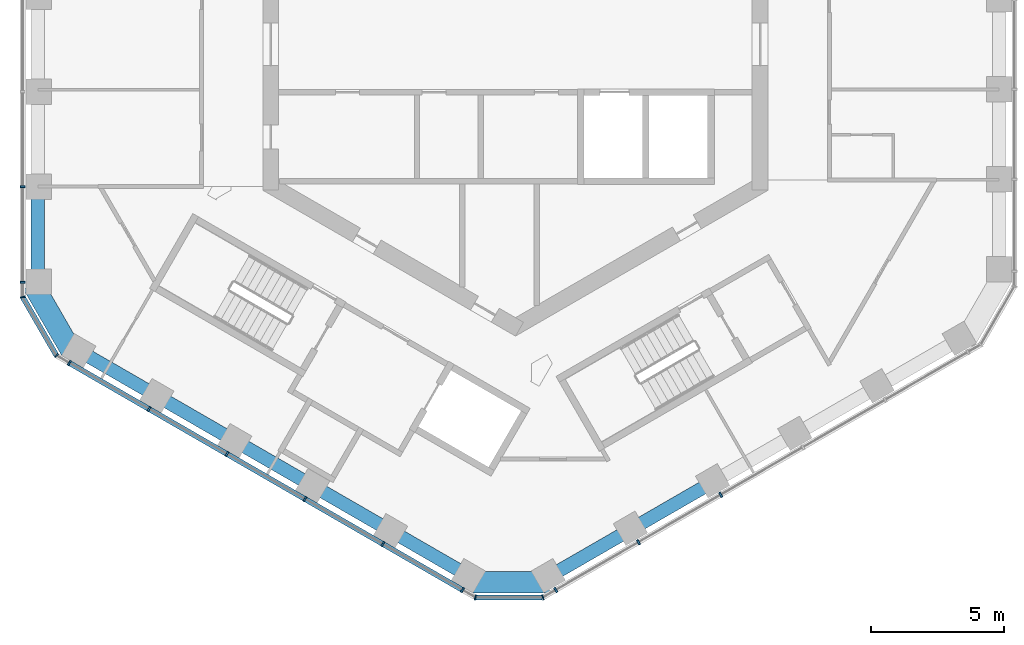
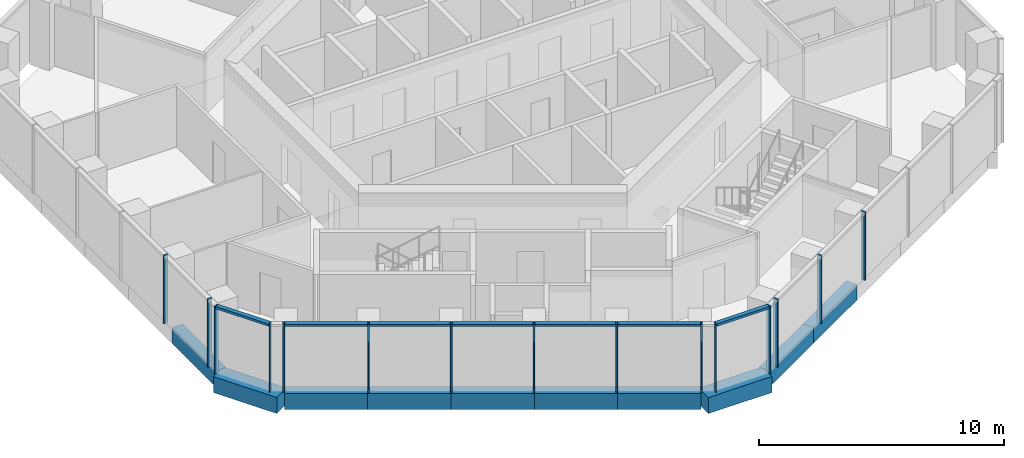
# One storey, part 2 of 18: 18 members, 10 beams, 5 elements without a shape of their own.
"""IFC4 building model written with IfcOpenShell, lengths in metres."""

import ifcopenshell
import ifcopenshell.guid

model = None  # the IFC model being written
_history = None  # IfcOwnerHistory: only IFC2X3 demands one
_inside = {}  # id of a spatial element -> (the spatial element, [elements in it])
_under = {}  # id of a project, library or spatial element -> (it, [spatial elements below it])
_declared = {}  # id of a project -> (the project, [libraries it declares])
_typed = {}  # id of a type object -> (the type object, [elements of that type])
_made_of = {}  # id of a material, layer set ... -> (it, [elements and type objects made of it])


def new_model(schema):
    """Start an empty IFC model of exactly this schema.

    Asked for "IFC4X3", IfcOpenShell would pick the latest addendum, in which some entities
    have other attributes; the version numbers below select the first issue.
    IFC2X3 requires an IfcOwnerHistory on every rooted entity: one is made here for all.
    """
    global model, _history
    if schema == "IFC4X3":
        model = ifcopenshell.file(schema_version=(4, 3, 0, 0))
    else:
        model = ifcopenshell.file(schema=schema)
    _inside.clear()
    _under.clear()
    _declared.clear()
    _typed.clear()
    _made_of.clear()
    _history = None
    if model.schema == "IFC2X3":
        org = make("IfcOrganization", Name="unknown")
        user = make(
            "IfcPersonAndOrganization",
            ThePerson=make("IfcPerson", FamilyName="unknown"),
            TheOrganization=org,
        )
        app = make(
            "IfcApplication",
            ApplicationDeveloper=org,
            Version="unknown",
            ApplicationFullName="unknown",
            ApplicationIdentifier="unknown",
        )
        _history = make(
            "IfcOwnerHistory",
            OwningUser=user,
            OwningApplication=app,
            ChangeAction="ADDED",
            CreationDate=0,
        )
    return model


def make(cls, **values):
    """One entity of the class cls with the attributes given. An attribute that is None is left unset."""
    return model.create_entity(
        cls, **{name: value for name, value in values.items() if value is not None}
    )


def rooted(cls, **values):
    """An entity with a GlobalId (a new one), such as an element, a storey or a relation."""
    return make(cls, GlobalId=ifcopenshell.guid.new(), OwnerHistory=_history, **values)


def si_unit(unit_type, name, prefix=None):
    """IfcSIUnit, for example si_unit("LENGTHUNIT", "METRE", prefix="MILLI")."""
    return make("IfcSIUnit", UnitType=unit_type, Prefix=prefix, Name=name)


def assignment(units):
    """IfcUnitAssignment: the units of a project."""
    return None if units is None else make("IfcUnitAssignment", Units=units)


def point(xyz):
    """IfcCartesianPoint."""
    return None if xyz is None else make("IfcCartesianPoint", Coordinates=xyz)


def direction(xyz):
    """IfcDirection."""
    return None if xyz is None else make("IfcDirection", DirectionRatios=xyz)


def frame(location, z_axis=None, x_axis=None):
    """IfcAxis2Placement3D, a coordinate frame: its origin and axes. An axis left out is left unset."""
    return make(
        "IfcAxis2Placement3D",
        Location=point(location),
        Axis=direction(z_axis),
        RefDirection=direction(x_axis),
    )


def frame_2d(location, x_axis=None):
    """IfcAxis2Placement2D, a coordinate frame in the plane: its origin and x axis."""
    return make(
        "IfcAxis2Placement2D", Location=point(location), RefDirection=direction(x_axis)
    )


def origin():
    """The frame at (0, 0, 0) with its axes left unset."""
    return frame((0.0, 0.0, 0.0))


def origin_2d():
    """The frame at (0, 0) in the plane with its x axis left unset."""
    return frame_2d((0.0, 0.0))


def place(relative_to, where):
    """IfcLocalPlacement: puts the frame where relative to a parent placement (None: the world)."""
    return make(
        "IfcLocalPlacement", PlacementRelTo=relative_to, RelativePlacement=where
    )


def context(
    kind, dimensions, precision=None, world=None, true_north=None, identifier=None
):
    """IfcGeometricRepresentationContext, for example the 3D "Model" context."""
    return make(
        "IfcGeometricRepresentationContext",
        ContextIdentifier=identifier,
        ContextType=kind,
        CoordinateSpaceDimension=dimensions,
        Precision=precision,
        WorldCoordinateSystem=world,
        TrueNorth=true_north,
    )


def subcontext(parent, identifier, kind, view, scale=None):
    """IfcGeometricRepresentationSubContext, for example "Body" below "Model"."""
    return make(
        "IfcGeometricRepresentationSubContext",
        ContextIdentifier=identifier,
        ContextType=kind,
        ParentContext=parent,
        TargetScale=scale,
        TargetView=view,
    )


def project(units=None, contexts=None):
    """IfcProject with its units and contexts."""
    return rooted(
        "IfcProject",
        Name="project",
        RepresentationContexts=contexts,
        UnitsInContext=assignment(units),
    )


def spatial(cls, under=None, at=None, **own):
    """A site, building, storey or space (cls), placed at a placement, below another one or the project."""
    s = rooted(cls, ObjectPlacement=at, **own)
    if under is not None:
        _under.setdefault(under.id(), (under, []))[1].append(s)
    return s


def profile(cls, at=None, kind="AREA", **sizes):
    """A parametric profile (cls). Its sizes go by their IFC names, for example OverallWidth=200.0."""
    return make(cls, ProfileType=kind, Position=at, **sizes)


def rectangle(**sizes):
    """IfcRectangleProfileDef."""
    return profile("IfcRectangleProfileDef", **sizes)


def extrude(swept, where, along, depth):
    """IfcExtrudedAreaSolid: the profile swept, set in the frame where, extruded along a direction by depth."""
    return make(
        "IfcExtrudedAreaSolid",
        SweptArea=swept,
        Position=where,
        ExtrudedDirection=direction(along),
        Depth=depth,
    )


def shape(context_of_items, identifier, shape_type, items):
    """IfcShapeRepresentation: the items that make up one representation, for example the "Body"."""
    return make(
        "IfcShapeRepresentation",
        ContextOfItems=context_of_items,
        RepresentationIdentifier=identifier,
        RepresentationType=shape_type,
        Items=items,
    )


def material(Name=None, Category=None):
    """IfcMaterial."""
    return make("IfcMaterial", Name=Name, Category=Category)


def layer(
    of_material, thickness, ventilated=None, Name=None, Category=None, Priority=None
):
    """IfcMaterialLayer: one layer of a wall or slab, of a material (None: an air gap)."""
    return make(
        "IfcMaterialLayer",
        Material=of_material,
        LayerThickness=thickness,
        IsVentilated=ventilated,
        Name=Name,
        Category=Category,
        Priority=Priority,
    )


def layer_set(layers, Name=None):
    """IfcMaterialLayerSet."""
    return make("IfcMaterialLayerSet", MaterialLayers=layers, LayerSetName=Name)


def material_profile(
    of_material, cross_section, Name=None, Category=None, Priority=None
):
    """IfcMaterialProfile: a cross section and its material."""
    return make(
        "IfcMaterialProfile",
        Name=Name,
        Material=of_material,
        Profile=cross_section,
        Priority=Priority,
        Category=Category,
    )


def profile_set(profiles, Name=None, composite=None):
    """IfcMaterialProfileSet."""
    return make(
        "IfcMaterialProfileSet",
        Name=Name,
        MaterialProfiles=profiles,
        CompositeProfile=composite,
    )


def made_of(thing, what):
    """Note that an element or type object is made of a material, layer set ...; save() writes the relation."""
    if what is not None:
        _made_of.setdefault(what.id(), (what, []))[1].append(thing)
    return thing


def type_object(cls, material=None, **own):
    """A type object (cls), such as IfcWallType, which elements share."""
    return made_of(rooted(cls, **own), material)


def element(
    cls,
    number,
    at=None,
    inside=None,
    cuts=None,
    type_object=None,
    material=None,
    context=None,
    identifier="Body",
    shape_type=None,
    held_by="IfcProductDefinitionShape",
    body=None,
    shapes=None,
    **own,
):
    """One element of the class cls, such as IfcWall. Its Tag is "e" and its number.

    at: its placement. inside: the storey or other place that contains it. cuts: it is an
    opening in that element (IfcRelVoidsElement). A single representation is given by context,
    identifier, shape_type and body (its items); several are given by shapes. held_by: the class
    of the entity that holds the representations. save() writes the other relations.
    """
    e = rooted(cls, Tag="e%d" % number, ObjectPlacement=at, **own)
    if body is not None:
        shapes = [shape(context, identifier, shape_type, body)]
    if shapes is not None:
        e.Representation = make(held_by, Representations=shapes)
    if inside is not None:
        _inside.setdefault(inside.id(), (inside, []))[1].append(e)
    if cuts is not None:
        rooted(
            "IfcRelVoidsElement", RelatingBuildingElement=cuts, RelatedOpeningElement=e
        )
    if type_object is not None:
        _typed.setdefault(type_object.id(), (type_object, []))[1].append(e)
    return made_of(e, material)


def aggregate(whole, parts):
    """IfcRelAggregates: a whole, such as a stair, and the parts it consists of."""
    return rooted("IfcRelAggregates", RelatingObject=whole, RelatedObjects=parts)


def save(model, path):
    """Write the relations noted so far, then the file.

    IfcRelAggregates (storeys below a building ...), IfcRelContainedInSpatialStructure (elements
    in a storey), IfcRelDefinesByType, IfcRelAssociatesMaterial and IfcRelDeclares: one each for
    every whole, place, type object, material and project.
    """
    for whole, parts in _under.values():
        aggregate(whole, parts)
    for where, things in _inside.values():
        rooted(
            "IfcRelContainedInSpatialStructure",
            RelatedElements=things,
            RelatingStructure=where,
        )
    for kind, things in _typed.values():
        rooted("IfcRelDefinesByType", RelatedObjects=things, RelatingType=kind)
    for what, things in _made_of.values():
        rooted("IfcRelAssociatesMaterial", RelatedObjects=things, RelatingMaterial=what)
    for by, libraries in _declared.values():
        rooted("IfcRelDeclares", RelatingContext=by, RelatedDefinitions=libraries)
    model.write(path)


model = new_model("IFC4")

# Units and contexts
model_context = context("Model", 3, precision=1e-05, world=origin(), true_north=direction((0.0, 1.0)))
body_context = subcontext(model_context, "Body", "Model", "MODEL_VIEW")
ifc_project = project(units=[si_unit("LENGTHUNIT", "METRE"), si_unit("AREAUNIT", "SQUARE_METRE"), si_unit("VOLUMEUNIT", "CUBIC_METRE"), si_unit("PLANEANGLEUNIT", "RADIAN"), si_unit("MASSUNIT", "GRAM", prefix="KILO")], contexts=[model_context])

# Site, building, storey
site_placement = place(None, origin())
site = spatial("IfcSite", under=ifc_project, at=site_placement, CompositionType="ELEMENT")
building_placement = place(site_placement, origin())
building = spatial("IfcBuilding", under=site, at=building_placement, Name="Ayvan Gate Tower", CompositionType="ELEMENT")
storey_placement = place(building_placement, frame((0.0, 0.0, 166.300048828125)))
storey = spatial("IfcBuildingStorey", under=building, at=storey_placement, Name="L44", CompositionType="ELEMENT", Elevation=166.300048828125)

# Beams
ifc_material_1 = material(Name="Concrete C40/50", Category="concrete")
ifc_material_profile_1 = material_profile(ifc_material_1, rectangle(XDim=0.800048828125, YDim=0.800048828125, at=origin_2d()), Name="RC 800x800")
ifc_profile_set_1 = profile_set([ifc_material_profile_1], Name="Concrete C40/50")
beam_type_1 = type_object("IfcBeamType", Name="Corner spandrel beam RC 800x800 C40/50", PredefinedType="BEAM", material=ifc_profile_set_1)
beam_1_placement = place(storey_placement, frame((-18.15283203125, -9.007568359375, -0.75), z_axis=(0.50002537861, -0.866010750942, 0.0), x_axis=(0.866010750942, 0.50002537861, 0.0)))
element("IfcBeam", 1, at=beam_1_placement, inside=storey, type_object=beam_type_1, Name="SB-L44-24", PredefinedType="BEAM", context=body_context, shape_type="SweptSolid", body=[
    extrude(rectangle(XDim=0.800048828125, YDim=0.800048828125, at=origin_2d()), origin(), (0.0, 0.0, 1.0), 2.999755859375),
])
beam_2_placement = place(storey_placement, frame((-1.724365234375, -20.224365234375, -0.75), z_axis=(1.0, 0.0, 0.0), x_axis=(0.0, 1.0, 0.0)))
element("IfcBeam", 2, at=beam_2_placement, inside=storey, type_object=beam_type_1, Name="SB-L44-30", PredefinedType="BEAM", context=body_context, shape_type="SweptSolid", body=[
    extrude(rectangle(XDim=0.800048828125, YDim=0.800048828125, at=origin_2d()), origin(), (0.0, 0.0, 1.0), 3.0),
])
ifc_material_profile_2 = material_profile(ifc_material_1, rectangle(XDim=0.5, YDim=0.800048828125, at=origin_2d()), Name="RC 500x800")
ifc_profile_set_2 = profile_set([ifc_material_profile_2], Name="Concrete C40/50")
beam_type_2 = type_object("IfcBeamType", Name="Spandrel beam RC 500x800 C40/50", PredefinedType="BEAM", material=ifc_profile_set_2)
beam_3_placement = place(storey_placement, frame((-17.962158203125, -5.33837890625, -0.75), z_axis=(0.0, -1.0, 0.0), x_axis=(1.0, 0.0, 0.0)))
element("IfcBeam", 3, at=beam_3_placement, inside=storey, type_object=beam_type_2, Name="SB-L44-23", PredefinedType="BEAM", context=body_context, shape_type="SweptSolid", body=[
    extrude(rectangle(XDim=0.5, YDim=0.800048828125, at=origin_2d()), origin(), (0.0, 0.0, 1.0), 3.55908203125),
])
for number, where, z_axis, x_axis, name in (
    (4, (-16.462158203125, -11.49560546875, -0.75), (0.866036268868, -0.499981180652, 0.0), (0.499981180652, 0.866036268868, 0.0), "SB-L44-25"),
    (5, (-13.5146484375, -13.197265625, -0.75), (0.866005207655, -0.500034979091, 0.0), (0.500034979091, 0.866005207655, 0.0), "SB-L44-26"),
    (6, (-10.567138671875, -14.899169921875, -0.75), (0.866054199175, -0.499950121604, 0.0), (0.499950121604, 0.866054199175, 0.0), "SB-L44-27"),
    (7, (-7.619384765625, -16.600830078125, -0.75), (0.866005207655, -0.500034979091, 0.0), (0.500034979091, 0.866005207655, 0.0), "SB-L44-28"),
    (8, (-4.671875, -18.302734375, -0.75), (0.866036268868, -0.499981180652, 0.0), (0.499981180652, 0.866036268868, 0.0), "SB-L44-29"),
):
    element("IfcBeam", number, at=place(storey_placement, frame(where, z_axis=z_axis, x_axis=x_axis)), inside=storey, type_object=beam_type_2, Name=name, PredefinedType="BEAM", context=body_context, shape_type="SweptSolid", body=[
        extrude(rectangle(XDim=0.5, YDim=0.800048828125, at=origin_2d()), origin(), (0.0, 0.0, 1.0), 3.403564453125),
    ])
beam_4_placement = place(storey_placement, frame((1.275634765625, -20.00439453125, -0.75), z_axis=(0.866056506647, 0.499946124392, 0.0), x_axis=(-0.499946124392, 0.866056506647, 0.0)))
element("IfcBeam", 9, at=beam_4_placement, inside=storey, type_object=beam_type_2, Name="SB-L44-31", PredefinedType="BEAM", context=body_context, shape_type="SweptSolid", body=[
    extrude(rectangle(XDim=0.5, YDim=0.800048828125, at=origin_2d()), origin(), (0.0, 0.0, 1.0), 3.55908203125),
])
beam_5_placement = place(storey_placement, frame((4.35791015625, -18.22509765625, -0.75), z_axis=(0.866009653827, 0.500027278734, 0.0), x_axis=(-0.500027278734, 0.866009653827, 0.0)))
element("IfcBeam", 10, at=beam_5_placement, inside=storey, type_object=beam_type_2, Name="SB-L44-32", PredefinedType="BEAM", context=body_context, shape_type="SweptSolid", body=[
    extrude(rectangle(XDim=0.5, YDim=0.800048828125, at=origin_2d()), origin(), (0.0, 0.0, 1.0), 3.558837890625),
])

# Curtain wall, members
ifc_material_2 = material(Name="Bronze anodised aluminium", Category="aluminium")
ifc_layer_1 = layer(ifc_material_2, 0.199951171875)
ifc_layer_set_1 = layer_set([ifc_layer_1], Name="Bronze anodised aluminium")
curtain_wall_type_1 = type_object("IfcCurtainWallType", Name="Stick curtain wall CW-2", PredefinedType="NOTDEFINED", material=ifc_layer_set_1)
curtain_wall_1_placement = place(storey_placement, origin())
curtain_wall_1 = element("IfcCurtainWall", 11, at=curtain_wall_1_placement, inside=storey, type_object=curtain_wall_type_1, Name="Stick curtain wall CW-2 L44", PredefinedType="NOTDEFINED")
ifc_material_profile_3 = material_profile(ifc_material_2, rectangle(XDim=0.199951171875, YDim=0.070068359375, at=origin_2d()), Name="Stick curtain wall CW-2 mullion 200 x 70")
ifc_profile_set_3 = profile_set([ifc_material_profile_3], Name="Bronze anodised aluminium")
member_type_1 = type_object("IfcMemberType", Name="Stick curtain wall CW-2 mullion 200 x 70", PredefinedType="MULLION", material=ifc_profile_set_3)
member_1_placement = place(storey_placement, frame((-18.524169921875, -5.353271484375, 0.0), z_axis=(0.0, 0.0, 1.0), x_axis=(-1.0, 0.0, 0.0)))
member_1 = element("IfcMember", 12, at=member_1_placement, type_object=member_type_1, Name="CW-2 mullion 5", PredefinedType="MULLION", context=body_context, shape_type="SweptSolid", body=[
    extrude(rectangle(XDim=0.199951171875, YDim=0.070068359375, at=origin_2d()), origin(), (0.0, 0.0, 1.0), 3.39990234375),
])
member_2_placement = place(storey_placement, frame((-18.524169921875, -8.94580078125, 0.0), z_axis=(0.0, 0.0, 1.0), x_axis=(-1.0, 0.0, 0.0)))
member_2 = element("IfcMember", 13, at=member_2_placement, type_object=member_type_1, Name="CW-2 mullion 6", PredefinedType="MULLION", context=body_context, shape_type="SweptSolid", body=[
    extrude(rectangle(XDim=0.199951171875, YDim=0.070068359375, at=origin_2d()), origin(), (0.0, 0.0, 1.0), 3.39990234375),
])
aggregate(curtain_wall_1, [member_1, member_2])

curtain_wall_2_placement = place(storey_placement, origin())
curtain_wall_2 = element("IfcCurtainWall", 14, at=curtain_wall_2_placement, inside=storey, type_object=curtain_wall_type_1, Name="Stick curtain wall CW-2 L44", PredefinedType="NOTDEFINED")
member_3_placement = place(storey_placement, frame((-16.77197265625, -11.980712890625, 0.0), z_axis=(0.0, 0.0, 1.0), x_axis=(-0.5, -0.866025403784, 0.0)))
member_3 = element("IfcMember", 15, at=member_3_placement, type_object=member_type_1, Name="CW-2 mullion 1", PredefinedType="MULLION", context=body_context, shape_type="SweptSolid", body=[
    extrude(rectangle(XDim=0.199951171875, YDim=0.070068359375, at=origin_2d()), origin(), (0.0, 0.0, 1.0), 3.39990234375),
])
member_4_placement = place(storey_placement, frame((-13.7763671875, -13.710205078125, 0.0), z_axis=(0.0, 0.0, 1.0), x_axis=(-0.5, -0.866025403784, 0.0)))
member_4 = element("IfcMember", 16, at=member_4_placement, type_object=member_type_1, Name="CW-2 mullion 2", PredefinedType="MULLION", context=body_context, shape_type="SweptSolid", body=[
    extrude(rectangle(XDim=0.199951171875, YDim=0.070068359375, at=origin_2d()), origin(), (0.0, 0.0, 1.0), 3.39990234375),
])
member_5_placement = place(storey_placement, frame((-10.845703125, -15.402099609375, 0.0), z_axis=(0.0, 0.0, 1.0), x_axis=(-0.5, -0.866025403784, 0.0)))
member_5 = element("IfcMember", 17, at=member_5_placement, type_object=member_type_1, Name="CW-2 mullion 3", PredefinedType="MULLION", context=body_context, shape_type="SweptSolid", body=[
    extrude(rectangle(XDim=0.199951171875, YDim=0.070068359375, at=origin_2d()), origin(), (0.0, 0.0, 1.0), 3.39990234375),
])
member_6_placement = place(storey_placement, frame((-7.916015625, -17.09375, 0.0), z_axis=(0.0, 0.0, 1.0), x_axis=(-0.5, -0.866025403784, 0.0)))
member_6 = element("IfcMember", 18, at=member_6_placement, type_object=member_type_1, Name="CW-2 mullion 4", PredefinedType="MULLION", context=body_context, shape_type="SweptSolid", body=[
    extrude(rectangle(XDim=0.199951171875, YDim=0.070068359375, at=origin_2d()), origin(), (0.0, 0.0, 1.0), 3.39990234375),
])
member_7_placement = place(storey_placement, frame((-4.9853515625, -18.78564453125, 0.0), z_axis=(0.0, 0.0, 1.0), x_axis=(-0.5, -0.866025403784, 0.0)))
member_7 = element("IfcMember", 19, at=member_7_placement, type_object=member_type_1, Name="CW-2 mullion 5", PredefinedType="MULLION", context=body_context, shape_type="SweptSolid", body=[
    extrude(rectangle(XDim=0.199951171875, YDim=0.070068359375, at=origin_2d()), origin(), (0.0, 0.0, 1.0), 3.39990234375),
])
member_8_placement = place(storey_placement, frame((-1.98974609375, -20.51513671875, 0.0), z_axis=(0.0, 0.0, 1.0), x_axis=(-0.5, -0.866025403784, 0.0)))
member_8 = element("IfcMember", 20, at=member_8_placement, type_object=member_type_1, Name="CW-2 mullion 6", PredefinedType="MULLION", context=body_context, shape_type="SweptSolid", body=[
    extrude(rectangle(XDim=0.199951171875, YDim=0.070068359375, at=origin_2d()), origin(), (0.0, 0.0, 1.0), 3.39990234375),
])

curtain_wall_3_placement = place(storey_placement, origin())
curtain_wall_3 = element("IfcCurtainWall", 21, at=curtain_wall_3_placement, inside=storey, type_object=curtain_wall_type_1, Name="Stick curtain wall CW-2 L44", PredefinedType="NOTDEFINED")
member_9_placement = place(storey_placement, frame((1.514892578125, -20.51513671875, 0.0), z_axis=(0.0, 0.0, 1.0), x_axis=(0.5, -0.866025403784, 0.0)))
member_9 = element("IfcMember", 22, at=member_9_placement, type_object=member_type_1, Name="CW-2 mullion 1", PredefinedType="MULLION", context=body_context, shape_type="SweptSolid", body=[
    extrude(rectangle(XDim=0.199951171875, YDim=0.070068359375, at=origin_2d()), origin(), (0.0, 0.0, 1.0), 3.39990234375),
])
member_10_placement = place(storey_placement, frame((4.625732421875, -18.71923828125, 0.0), z_axis=(0.0, 0.0, 1.0), x_axis=(0.5, -0.866025403784, 0.0)))
member_10 = element("IfcMember", 23, at=member_10_placement, type_object=member_type_1, Name="CW-2 mullion 2", PredefinedType="MULLION", context=body_context, shape_type="SweptSolid", body=[
    extrude(rectangle(XDim=0.199951171875, YDim=0.070068359375, at=origin_2d()), origin(), (0.0, 0.0, 1.0), 3.39990234375),
])
member_11_placement = place(storey_placement, frame((7.716552734375, -16.934814453125, 0.0), z_axis=(0.0, 0.0, 1.0), x_axis=(0.5, -0.866025403784, 0.0)))
member_11 = element("IfcMember", 24, at=member_11_placement, type_object=member_type_1, Name="CW-2 mullion 3", PredefinedType="MULLION", context=body_context, shape_type="SweptSolid", body=[
    extrude(rectangle(XDim=0.199951171875, YDim=0.070068359375, at=origin_2d()), origin(), (0.0, 0.0, 1.0), 3.39990234375),
])
aggregate(curtain_wall_3, [member_9, member_10, member_11])

# Member
ifc_material_profile_4 = material_profile(ifc_material_2, rectangle(XDim=0.199951171875, YDim=0.1201171875, at=origin_2d()), Name="Stick curtain wall CW-2 transom 200 x 120")
ifc_profile_set_4 = profile_set([ifc_material_profile_4], Name="Bronze anodised aluminium")
member_type_2 = type_object("IfcMemberType", Name="Stick curtain wall CW-2 transom 200 x 120", PredefinedType="USERDEFINED", material=ifc_profile_set_4)
member_12_placement = place(storey_placement, frame((-16.77197265625, -11.980712890625, 3.33984375), z_axis=(0.86602790654, -0.499995665075, 0.0), x_axis=(0.499995665075, 0.86602790654, 0.0)))
member_12 = element("IfcMember", 25, at=member_12_placement, type_object=member_type_2, Name="CW-2 transom 1", ObjectType="TRANSOM", PredefinedType="USERDEFINED", context=body_context, shape_type="SweptSolid", body=[
    extrude(rectangle(XDim=0.199951171875, YDim=0.1201171875, at=origin_2d()), origin(), (0.0, 0.0, 1.0), 17.069091796875),
])

aggregate(curtain_wall_2, [member_3, member_4, member_5, member_6, member_7, member_8, member_12])

# Curtain wall, members
ifc_layer_2 = layer(ifc_material_2, 0.199951171875)
ifc_layer_set_2 = layer_set([ifc_layer_2], Name="Bronze anodised aluminium")
curtain_wall_type_2 = type_object("IfcCurtainWallType", Name="Stick curtain wall CW-6", PredefinedType="NOTDEFINED", material=ifc_layer_set_2)
curtain_wall_4_placement = place(storey_placement, origin())
curtain_wall_4 = element("IfcCurtainWall", 26, at=curtain_wall_4_placement, inside=storey, type_object=curtain_wall_type_2, Name="Stick curtain wall CW-6 L44", PredefinedType="NOTDEFINED")
ifc_material_profile_5 = material_profile(ifc_material_2, rectangle(XDim=0.199951171875, YDim=0.050048828125, at=origin_2d()), Name="Stick curtain wall CW-6 mullion 200 x 50")
ifc_profile_set_5 = profile_set([ifc_material_profile_5], Name="Bronze anodised aluminium")
member_type_3 = type_object("IfcMemberType", Name="Stick curtain wall CW-6 mullion 200 x 50", PredefinedType="MULLION", material=ifc_profile_set_5)
member_13_placement = place(storey_placement, frame((-18.524169921875, -9.505615234375, 0.0), z_axis=(0.0, 0.0, 1.0), x_axis=(-0.965925826289, -0.258819045103, 0.0)))
member_13 = element("IfcMember", 27, at=member_13_placement, type_object=member_type_3, Name="CW-6 mullion 2", PredefinedType="MULLION", context=body_context, shape_type="SweptSolid", body=[
    extrude(rectangle(XDim=0.199951171875, YDim=0.050048828125, at=origin_2d()), origin(), (0.0, 0.0, 1.0), 3.39990234375),
])
member_14_placement = place(storey_placement, frame((-17.2568359375, -11.70068359375, 0.0), z_axis=(0.0, 0.0, 1.0), x_axis=(-0.707106781187, -0.707106781187, 0.0)))
member_14 = element("IfcMember", 28, at=member_14_placement, type_object=member_type_3, Name="CW-6 mullion 3", PredefinedType="MULLION", context=body_context, shape_type="SweptSolid", body=[
    extrude(rectangle(XDim=0.199951171875, YDim=0.050048828125, at=origin_2d()), origin(), (0.0, 0.0, 1.0), 3.39990234375),
])

curtain_wall_5_placement = place(storey_placement, origin())
curtain_wall_5 = element("IfcCurtainWall", 29, at=curtain_wall_5_placement, inside=storey, type_object=curtain_wall_type_2, Name="Stick curtain wall CW-6 L44", PredefinedType="NOTDEFINED")
member_15_placement = place(storey_placement, frame((-1.504638671875, -20.795166015625, 0.0), z_axis=(0.0, 0.0, 1.0), x_axis=(-0.258819045103, -0.965925826289, 0.0)))
member_15 = element("IfcMember", 30, at=member_15_placement, type_object=member_type_3, Name="CW-6 mullion 2", PredefinedType="MULLION", context=body_context, shape_type="SweptSolid", body=[
    extrude(rectangle(XDim=0.199951171875, YDim=0.050048828125, at=origin_2d()), origin(), (0.0, 0.0, 1.0), 3.39990234375),
])
member_16_placement = place(storey_placement, frame((1.02978515625, -20.795166015625, 0.0), z_axis=(0.0, 0.0, 1.0), x_axis=(0.258819045103, -0.965925826289, 0.0)))
member_16 = element("IfcMember", 31, at=member_16_placement, type_object=member_type_3, Name="CW-6 mullion 3", PredefinedType="MULLION", context=body_context, shape_type="SweptSolid", body=[
    extrude(rectangle(XDim=0.199951171875, YDim=0.050048828125, at=origin_2d()), origin(), (0.0, 0.0, 1.0), 3.39990234375),
])

# Member
ifc_material_profile_6 = material_profile(ifc_material_2, rectangle(XDim=0.199951171875, YDim=0.1201171875, at=origin_2d()), Name="Stick curtain wall CW-6 transom 200 x 120")
ifc_profile_set_6 = profile_set([ifc_material_profile_6], Name="Bronze anodised aluminium")
member_type_4 = type_object("IfcMemberType", Name="Stick curtain wall CW-6 transom 200 x 120", PredefinedType="USERDEFINED", material=ifc_profile_set_6)
member_17_placement = place(storey_placement, frame((-18.51171875, -9.52734375, 3.33984375), z_axis=(0.500059846627, -0.865990848561, 0.0), x_axis=(0.865990848561, 0.500059846627, 0.0)))
member_17 = element("IfcMember", 32, at=member_17_placement, type_object=member_type_4, Name="CW-6 transom 2", ObjectType="TRANSOM", PredefinedType="USERDEFINED", context=body_context, shape_type="SweptSolid", body=[
    extrude(rectangle(XDim=0.199951171875, YDim=0.1201171875, at=origin_2d()), origin(), (0.0, 0.0, 1.0), 2.484619140625),
])

aggregate(curtain_wall_4, [member_13, member_14, member_17])

member_18_placement = place(storey_placement, frame((-1.479736328125, -20.795166015625, 3.33984375), z_axis=(1.0, 0.0, 0.0), x_axis=(0.0, 1.0, 0.0)))
member_18 = element("IfcMember", 33, at=member_18_placement, type_object=member_type_4, Name="CW-6 transom 2", ObjectType="TRANSOM", PredefinedType="USERDEFINED", context=body_context, shape_type="SweptSolid", body=[
    extrude(rectangle(XDim=0.199951171875, YDim=0.1201171875, at=origin_2d()), origin(), (0.0, 0.0, 1.0), 2.484619140625),
])

aggregate(curtain_wall_5, [member_15, member_16, member_18])

save(model, "model.ifc")
